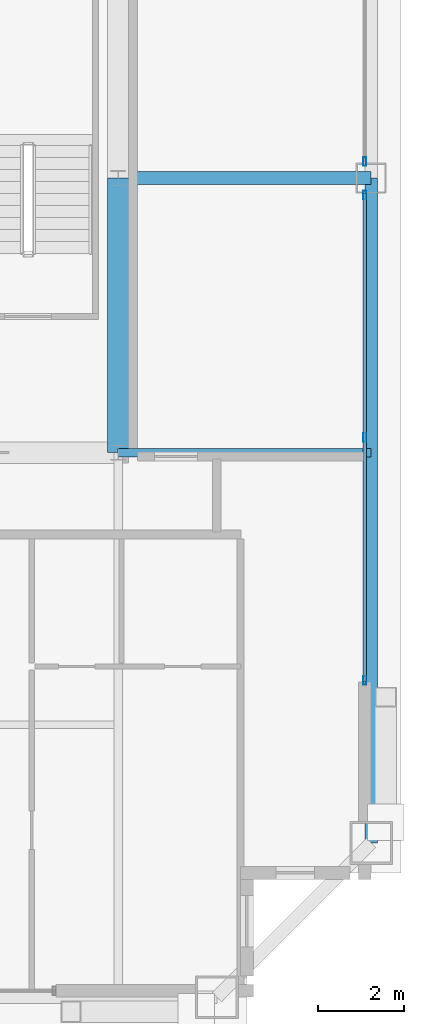
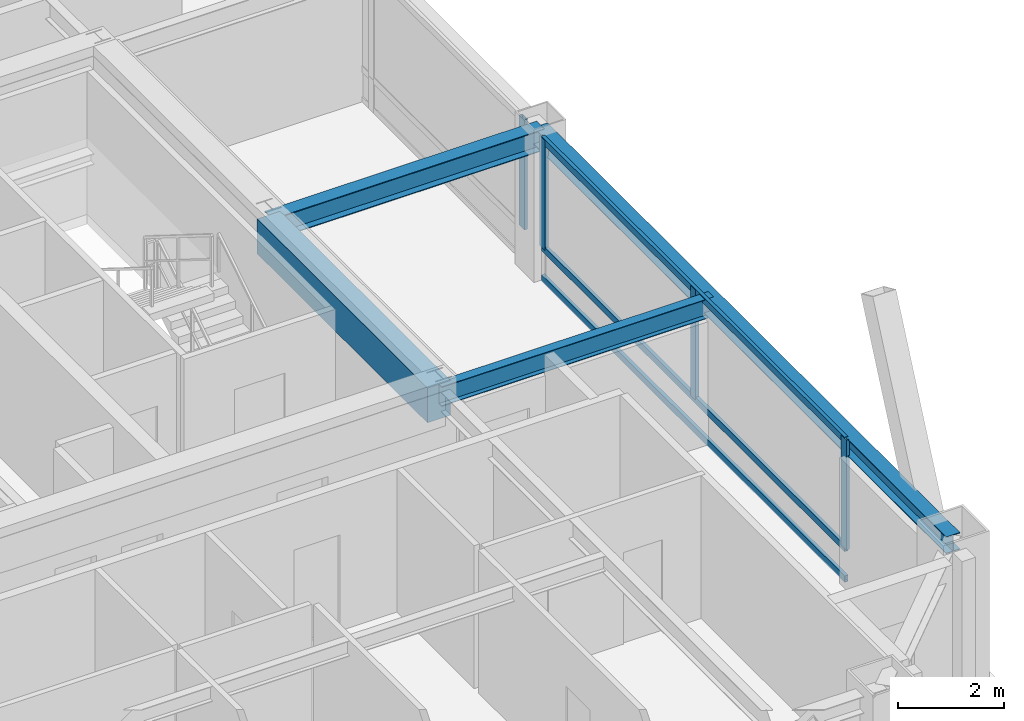
# One storey, part 13 of 34: 7 members, 4 beams, 2 elements without a shape of their own.
"""IFC4 building model written with IfcOpenShell, lengths in metres."""

from ifc_helpers import new_model, si_unit, direction, frame, origin, origin_2d, place, context, subcontext, project, spatial, rectangle, hollow_rectangle, i_section, extrude, source, transform, mapped, material, layer, layer_set, material_profile, profile_set, type_object, element, aggregate, save


model = new_model("IFC4")

# Units and contexts
model_context = context("Model", 3, precision=1e-05, world=origin(), true_north=direction((0.0, 1.0)))
body_context = subcontext(model_context, "Body", "Model", "MODEL_VIEW")
ifc_project = project(units=[si_unit("LENGTHUNIT", "METRE"), si_unit("AREAUNIT", "SQUARE_METRE"), si_unit("VOLUMEUNIT", "CUBIC_METRE"), si_unit("PLANEANGLEUNIT", "RADIAN"), si_unit("MASSUNIT", "GRAM", prefix="KILO"), si_unit("THERMODYNAMICTEMPERATUREUNIT", "KELVIN"), si_unit("POWERUNIT", "WATT")], contexts=[model_context])

# Site, building, storey
site_placement = place(None, origin())
site = spatial("IfcSite", under=ifc_project, at=site_placement, CompositionType="ELEMENT")
building_placement = place(site_placement, origin())
building = spatial("IfcBuilding", under=site, at=building_placement, Name="Yuzanri Waterfront Tower", CompositionType="ELEMENT")
storey_placement = place(building_placement, frame((0.0, 0.0, 328.699951171875)))
storey = spatial("IfcBuildingStorey", under=building, at=storey_placement, Name="L88", CompositionType="ELEMENT", Elevation=328.699951171875)

# Beams
ifc_material_1 = material(Name="Concrete C50", Category="concrete")
ifc_material_profile_1 = material_profile(ifc_material_1, rectangle(XDim=0.5, YDim=0.800048828125, at=origin_2d()), Name="RC 500x800")
ifc_profile_set_1 = profile_set([ifc_material_profile_1], Name="Concrete C50")
beam_type_1 = type_object("IfcBeamType", Name="Core Coupling Lintel Concrete C50 500x800", PredefinedType="LINTEL", material=ifc_profile_set_1)
shared_shape_1 = source(origin(), body_context, "Body", "SweptSolid", [
    extrude(rectangle(XDim=0.5, YDim=0.800048828125, at=origin_2d()), origin(), (0.0, 0.0, 1.0), 6.400146484375),
])
beam_1_placement = place(storey_placement, frame((50.199951171875, 19.39990234375, 2.880126953125), z_axis=(0.0, 1.0, 0.0), x_axis=(-1.0, 0.0, 0.0)))
element("IfcBeam", 1, at=beam_1_placement, inside=storey, type_object=beam_type_1, Name="L88 Core Tie Beam CE1", PredefinedType="LINTEL", context=body_context, shape_type="MappedRepresentation", body=[
    mapped(shared_shape_1, transform((0.0, 0.0, 0.0), scale=1.0)),
])
ifc_material_2 = material(Name="Steel Q355B", Category="steel")
ifc_material_profile_2 = material_profile(ifc_material_2, i_section(OverallWidth=0.300048828125, OverallDepth=0.389892578125, WebThickness=0.010009765625, FlangeThickness=0.01611328125, at=origin_2d()), Name="HM 390x300x10x16")
ifc_profile_set_2 = profile_set([ifc_material_profile_2], Name="Steel Q355B")
beam_type_2 = type_object("IfcBeamType", Name="Perimeter Spandrel Q355B HM 390x300", PredefinedType="SPANDREL", material=ifc_profile_set_2)
shared_shape_2 = source(origin(), body_context, "Body", "SweptSolid", [
    extrude(i_section(OverallWidth=0.300048828125, OverallDepth=0.389892578125, WebThickness=0.010009765625, FlangeThickness=0.01611328125, at=origin_2d()), origin(), (0.0, 0.0, 1.0), 15.5),
])
beam_2_placement = place(storey_placement, frame((56.10009765625, 10.300048828125, 3.0849609375), z_axis=(0.0, 1.0, 0.0), x_axis=(-1.0, 0.0, 0.0)))
element("IfcBeam", 2, at=beam_2_placement, inside=storey, type_object=beam_type_2, Name="L88 Perimeter Spandrel E1-E2", PredefinedType="SPANDREL", context=body_context, shape_type="MappedRepresentation", body=[
    mapped(shared_shape_2, transform((0.0, 0.0, 0.0), scale=1.0)),
])
ifc_material_3 = material(Name="Steel Q355B", Category="steel")
ifc_material_profile_3 = material_profile(ifc_material_3, i_section(OverallWidth=0.300048828125, OverallDepth=0.488037109375, WebThickness=0.010986328125, FlangeThickness=0.01806640625, at=origin_2d()), Name="HM 488x300x11x18")
ifc_profile_set_3 = profile_set([ifc_material_profile_3], Name="Steel Q355B")
beam_type_3 = type_object("IfcBeamType", Name="Primary Floor Girder Q355B HM 488x300", PredefinedType="BEAM", material=ifc_profile_set_3)
shared_shape_3 = source(origin(), body_context, "Body", "SweptSolid", [
    extrude(i_section(OverallWidth=0.300048828125, OverallDepth=0.488037109375, WebThickness=0.010986328125, FlangeThickness=0.01806640625, at=origin_2d()), origin(), (0.0, 0.0, 1.0), 5.900146484375),
])
beam_3_placement = place(storey_placement, frame((50.199951171875, 25.800048828125, 3.0361328125), z_axis=(1.0, 0.0, 0.0), x_axis=(0.0, 1.0, 0.0)))
element("IfcBeam", 3, at=beam_3_placement, inside=storey, type_object=beam_type_3, Name="L88 East Grid Girder", PredefinedType="BEAM", context=body_context, shape_type="MappedRepresentation", body=[
    mapped(shared_shape_3, transform((0.0, 0.0, 0.0), scale=1.0)),
])
ifc_material_4 = material(Name="Steel Q355B", Category="steel")
ifc_material_profile_4 = material_profile(ifc_material_4, i_section(OverallWidth=0.199951171875, OverallDepth=0.449951171875, WebThickness=0.009033203125, FlangeThickness=0.013916015625, at=origin_2d()), Name="HN 450x200x9x14")
ifc_profile_set_4 = profile_set([ifc_material_profile_4], Name="Steel Q355B")
beam_type_4 = type_object("IfcBeamType", Name="Secondary Floor Beam Q355B HN 450x200", PredefinedType="BEAM", material=ifc_profile_set_4)
shared_shape_4 = source(origin(), body_context, "Body", "SweptSolid", [
    extrude(i_section(OverallWidth=0.199951171875, OverallDepth=0.449951171875, WebThickness=0.009033203125, FlangeThickness=0.013916015625, at=origin_2d()), origin(), (0.0, 0.0, 1.0), 5.900146484375),
])
beam_4_placement = place(storey_placement, frame((50.199951171875, 19.39990234375, 3.054931640625), z_axis=(1.0, 0.0, 0.0), x_axis=(0.0, 1.0, 0.0)))
element("IfcBeam", 4, at=beam_4_placement, inside=storey, type_object=beam_type_4, Name="L88 East-South Core Line Beam", PredefinedType="BEAM", context=body_context, shape_type="MappedRepresentation", body=[
    mapped(shared_shape_4, transform((0.0, 0.0, 0.0), scale=1.0)),
])

# Curtain wall, members
ifc_material_5 = material(Name="Anodized Architectural Bronze", Category="metal")
ifc_layer = layer(ifc_material_5, 0.159912109375)
ifc_layer_set = layer_set([ifc_layer], Name="Anodized Architectural Bronze")
curtain_wall_type = type_object("IfcCurtainWallType", Name="Anodized Bronze High-Rise Penthouse High-Wind Unitized Curtain Wall 6900", PredefinedType="NOTDEFINED", material=ifc_layer_set)
curtain_wall_1_placement = place(storey_placement, origin())
curtain_wall_1 = element("IfcCurtainWall", 5, at=curtain_wall_1_placement, inside=storey, type_object=curtain_wall_type, Name="L88 Curtain Wall CW-L88-EL", PredefinedType="NOTDEFINED")
ifc_material_6 = material(Name="Anodized Architectural Bronze", Category="metal")
ifc_material_profile_5 = material_profile(ifc_material_6, hollow_rectangle(XDim=0.074951171875, YDim=0.199951171875, WallThickness=0.00390625, at=origin_2d()), Name="CWM 75x200")
ifc_profile_set_5 = profile_set([ifc_material_profile_5], Name="Anodized Architectural Bronze")
member_type_1 = type_object("IfcMemberType", Name="Anodized Bronze Primary Curtain-Wall Mullion 75x200", PredefinedType="MULLION", material=ifc_profile_set_5)
shared_shape_5 = source(origin(), body_context, "Body", "SweptSolid", [
    extrude(hollow_rectangle(XDim=0.074951171875, YDim=0.199951171875, WallThickness=0.00390625, at=origin_2d()), origin(), (0.0, 0.0, 1.0), 2.52392578125),
])
member_1_placement = place(storey_placement, frame((55.949951171875, 14.090087890625, 0.756103515625), z_axis=(0.0, 0.0, 1.0), x_axis=(1.0, 0.0, 0.0)))
member_1 = element("IfcMember", 6, at=member_1_placement, type_object=member_type_1, Name="CW-L88-EL Upper Mullion 00", PredefinedType="MULLION", context=body_context, shape_type="MappedRepresentation", body=[
    mapped(shared_shape_5, transform((0.0, 0.0, 0.0), scale=1.0)),
])
member_2_placement = place(storey_placement, frame((55.949951171875, 19.75, 0.756103515625), z_axis=(0.0, 0.0, 1.0), x_axis=(1.0, 0.0, 0.0)))
member_2 = element("IfcMember", 7, at=member_2_placement, type_object=member_type_1, Name="CW-L88-EL Upper Mullion 01", PredefinedType="MULLION", context=body_context, shape_type="MappedRepresentation", body=[
    mapped(shared_shape_5, transform((0.0, 0.0, 0.0), scale=1.0)),
])
member_3_placement = place(storey_placement, frame((55.949951171875, 25.409912109375, 0.756103515625), z_axis=(0.0, 0.0, 1.0), x_axis=(1.0, 0.0, 0.0)))
member_3 = element("IfcMember", 8, at=member_3_placement, type_object=member_type_1, Name="CW-L88-EL Upper Mullion 02", PredefinedType="MULLION", context=body_context, shape_type="MappedRepresentation", body=[
    mapped(shared_shape_5, transform((0.0, 0.0, 0.0), scale=1.0)),
])

# Curtain wall, member
curtain_wall_2_placement = place(storey_placement, origin())
curtain_wall_2 = element("IfcCurtainWall", 9, at=curtain_wall_2_placement, inside=storey, type_object=curtain_wall_type, Name="L88 Curtain Wall CW-L88-ER", PredefinedType="NOTDEFINED")
member_4_placement = place(storey_placement, frame((55.949951171875, 26.18994140625, 0.756103515625), z_axis=(0.0, 0.0, 1.0), x_axis=(1.0, 0.0, 0.0)))
member_4 = element("IfcMember", 10, at=member_4_placement, type_object=member_type_1, Name="CW-L88-ER Upper Mullion 00", PredefinedType="MULLION", context=body_context, shape_type="MappedRepresentation", body=[
    mapped(shared_shape_5, transform((0.0, 0.0, 0.0), scale=1.0)),
])
aggregate(curtain_wall_2, [member_4])

# Member
ifc_material_7 = material(Name="Anodized Architectural Bronze", Category="metal")
ifc_material_profile_6 = material_profile(ifc_material_7, hollow_rectangle(XDim=0.074951171875, YDim=0.14990234375, WallThickness=0.00390625, at=origin_2d()), Name="CWT 75x150")
ifc_profile_set_6 = profile_set([ifc_material_profile_6], Name="Anodized Architectural Bronze")
member_type_2 = type_object("IfcMemberType", Name="Anodized Bronze Primary Curtain-Wall Transom 75x150", PredefinedType="USERDEFINED", material=ifc_profile_set_6)
shared_shape_6 = source(origin(), body_context, "Body", "SweptSolid", [
    extrude(hollow_rectangle(XDim=0.074951171875, YDim=0.14990234375, WallThickness=0.00390625, at=origin_2d()), origin(), (0.0, 0.0, 1.0), 11.39990234375),
])
member_5_placement = place(storey_placement, frame((55.949951171875, 14.050048828125, 0.050048828125), z_axis=(0.0, 1.0, 0.0), x_axis=(-1.0, 0.0, 0.0)))
member_5 = element("IfcMember", 11, at=member_5_placement, type_object=member_type_2, Name="CW-L88-EL Transom 1", ObjectType="TRANSOM", PredefinedType="USERDEFINED", context=body_context, shape_type="MappedRepresentation", body=[
    mapped(shared_shape_6, transform((0.0, 0.0, 0.0), scale=1.0)),
])

member_6_placement = place(storey_placement, frame((55.949951171875, 14.050048828125, 0.754150390625), z_axis=(0.0, 1.0, 0.0), x_axis=(-1.0, 0.0, 0.0)))
member_6 = element("IfcMember", 12, at=member_6_placement, type_object=member_type_2, Name="CW-L88-EL Transom 2", ObjectType="TRANSOM", PredefinedType="USERDEFINED", context=body_context, shape_type="MappedRepresentation", body=[
    mapped(shared_shape_6, transform((0.0, 0.0, 0.0), scale=1.0)),
])

member_7_placement = place(storey_placement, frame((55.949951171875, 14.050048828125, 3.22998046875), z_axis=(0.0, 1.0, 0.0), x_axis=(-1.0, 0.0, 0.0)))
member_7 = element("IfcMember", 13, at=member_7_placement, type_object=member_type_2, Name="CW-L88-EL Transom 3", ObjectType="TRANSOM", PredefinedType="USERDEFINED", context=body_context, shape_type="MappedRepresentation", body=[
    mapped(shared_shape_6, transform((0.0, 0.0, 0.0), scale=1.0)),
])

aggregate(curtain_wall_1, [member_1, member_2, member_3, member_5, member_6, member_7])

save(model, "model.ifc")
